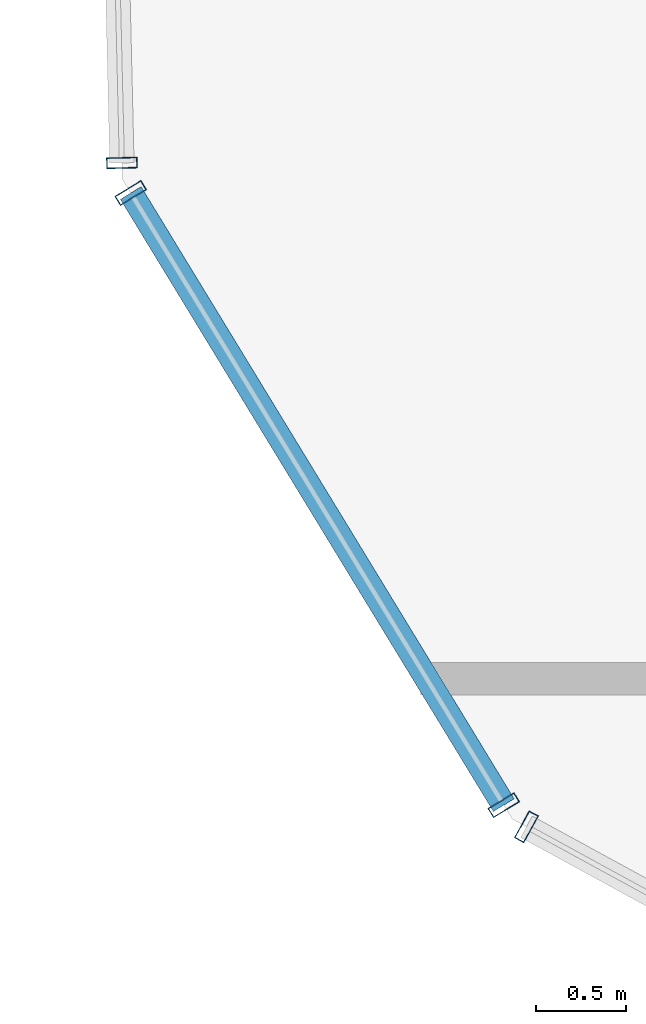
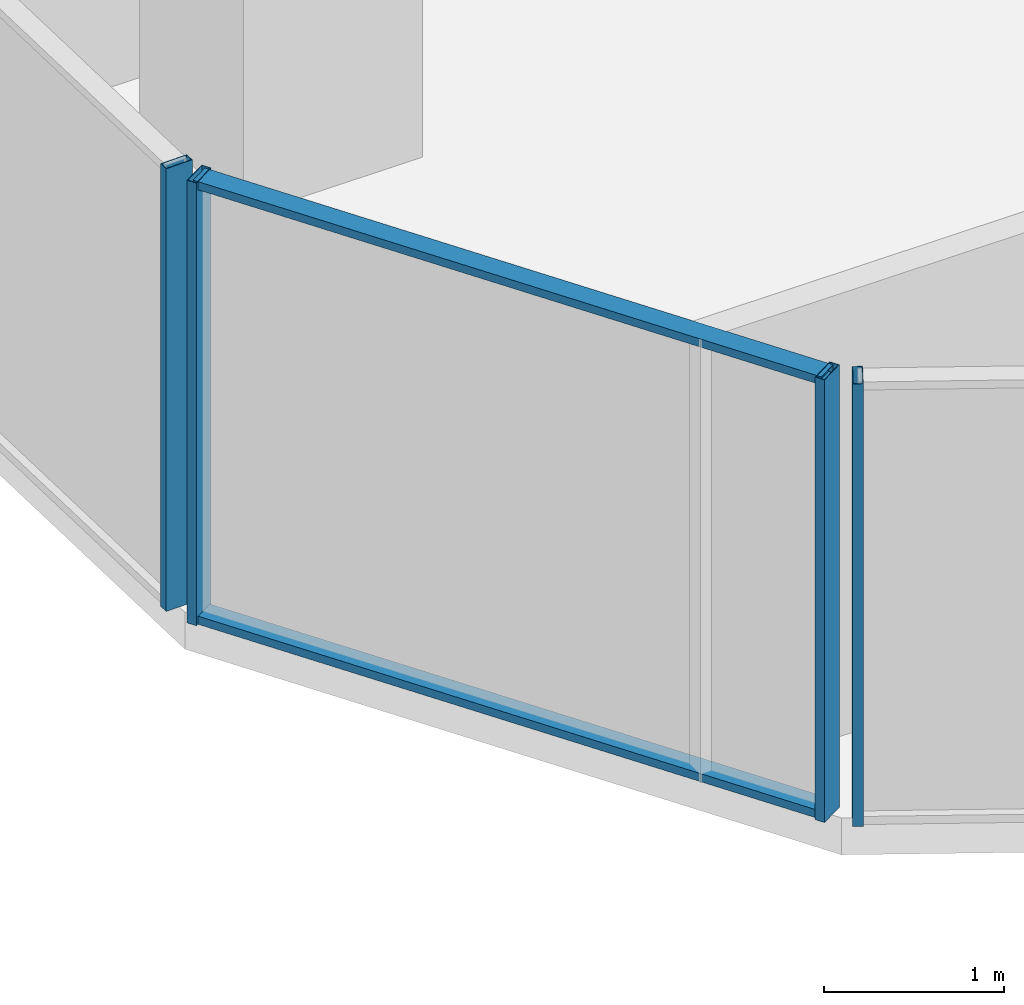
# One storey, part 4 of 31: 6 members, 3 elements without a shape of their own.
"""IFC4 building model written with IfcOpenShell, lengths in metres."""

from ifc_helpers import new_model, si_unit, direction, frame, origin, origin_2d, place, context, subcontext, project, spatial, hollow_rectangle, extrude, source, transform, mapped, material, layer, layer_set, material_profile, profile_set, type_object, element, aggregate, save


model = new_model("IFC4")

# Units and contexts
model_context = context("Model", 3, precision=1e-05, world=origin(), true_north=direction((0.0, 1.0)))
body_context = subcontext(model_context, "Body", "Model", "MODEL_VIEW")
ifc_project = project(units=[si_unit("LENGTHUNIT", "METRE"), si_unit("AREAUNIT", "SQUARE_METRE"), si_unit("VOLUMEUNIT", "CUBIC_METRE"), si_unit("PLANEANGLEUNIT", "RADIAN"), si_unit("MASSUNIT", "GRAM", prefix="KILO")], contexts=[model_context])

# Site, building, storey
site_placement = place(None, origin())
site = spatial("IfcSite", under=ifc_project, at=site_placement, CompositionType="ELEMENT")
building_placement = place(site_placement, origin())
building = spatial("IfcBuilding", under=site, at=building_placement, Name="Veraguas Prism Commons", CompositionType="ELEMENT")
storey_placement = place(building_placement, frame((0.0, 0.0, 132.75)))
storey = spatial("IfcBuildingStorey", under=building, at=storey_placement, Name="L37", CompositionType="ELEMENT", Elevation=132.75)

# Curtain wall, member
ifc_material = material(Name="Anodised aluminium EN AW-6063 T6", Category="aluminium")
ifc_layer = layer(ifc_material, 0.169921875, Name="Unitised Flush Curtain Wall Zone 2", Category="aluminium")
ifc_layer_set = layer_set([ifc_layer], Name="Anodised aluminium EN AW-6063 T6")
curtain_wall_type = type_object("IfcCurtainWallType", Name="Unitised Flush Curtain Wall Zone 2", PredefinedType="NOTDEFINED", material=ifc_layer_set)
curtain_wall_1_placement = place(storey_placement, origin())
curtain_wall_1 = element("IfcCurtainWall", 1, at=curtain_wall_1_placement, inside=storey, type_object=curtain_wall_type, Name="Tower Facade Curtain Wall L37-F3", PredefinedType="NOTDEFINED")
ifc_material_profile_1 = material_profile(ifc_material, hollow_rectangle(XDim=0.06005859375, YDim=0.169921875, WallThickness=0.00390625, at=origin_2d()), Name="AL60X170X4")
ifc_profile_set_1 = profile_set([ifc_material_profile_1], Name="Anodised aluminium EN AW-6063 T6")
member_type_1 = type_object("IfcMemberType", Name="Curtain Wall Mullion Lower AL 60x170x4", PredefinedType="MULLION", material=ifc_profile_set_1)
shared_shape_1 = source(origin(), body_context, "Body", "SweptSolid", [
    extrude(hollow_rectangle(XDim=0.06005859375, YDim=0.169921875, WallThickness=0.00390625, at=origin_2d()), origin(), (0.0, 0.0, 1.0), 3.0),
])
member_1_placement = place(storey_placement, frame((5.02685546875, 14.9599609375, 0.0), z_axis=(0.0, 0.0, 1.0), x_axis=(0.023737738629, -0.999718220182, 0.0)))
member_1 = element("IfcMember", 2, at=member_1_placement, type_object=member_type_1, Name="CW-Z2 Mullion 5", PredefinedType="MULLION", context=body_context, shape_type="MappedRepresentation", body=[
    mapped(shared_shape_1, transform((0.0, 0.0, 0.0), scale=1.0)),
])
aggregate(curtain_wall_1, [member_1])

curtain_wall_2_placement = place(storey_placement, origin())
curtain_wall_2 = element("IfcCurtainWall", 3, at=curtain_wall_2_placement, inside=storey, type_object=curtain_wall_type, Name="Tower Facade Curtain Wall L37-F4", PredefinedType="NOTDEFINED")
member_2_placement = place(storey_placement, frame((7.269287109375, 11.280517578125, 0.0), z_axis=(0.0, 0.0, 1.0), x_axis=(0.877648571535, -0.479304688984, 0.0)))
member_2 = element("IfcMember", 4, at=member_2_placement, type_object=member_type_1, Name="CW-Z2 Mullion 1", PredefinedType="MULLION", context=body_context, shape_type="MappedRepresentation", body=[
    mapped(shared_shape_1, transform((0.0, 0.0, 0.0), scale=1.0)),
])
aggregate(curtain_wall_2, [member_2])

# Curtain wall, members
curtain_wall_3_placement = place(storey_placement, origin())
curtain_wall_3 = element("IfcCurtainWall", 5, at=curtain_wall_3_placement, inside=storey, type_object=curtain_wall_type, Name="Chamfer Curtain Wall L37-C4", PredefinedType="NOTDEFINED")
member_3_placement = place(storey_placement, frame((5.07568359375, 14.793212890625, 0.0), z_axis=(0.0, 0.0, 1.0), x_axis=(0.52040914296, -0.853917047449, 0.0)))
member_3 = element("IfcMember", 6, at=member_3_placement, type_object=member_type_1, Name="CW-Z2 Mullion 1", PredefinedType="MULLION", context=body_context, shape_type="MappedRepresentation", body=[
    mapped(shared_shape_1, transform((0.0, 0.0, 0.0), scale=1.0)),
])
member_4_placement = place(storey_placement, frame((7.143310546875, 11.400390625, 0.0), z_axis=(0.0, 0.0, 1.0), x_axis=(0.52040914296, -0.853917047449, 0.0)))
member_4 = element("IfcMember", 7, at=member_4_placement, type_object=member_type_1, Name="CW-Z2 Mullion 2", PredefinedType="MULLION", context=body_context, shape_type="MappedRepresentation", body=[
    mapped(shared_shape_1, transform((0.0, 0.0, 0.0), scale=1.0)),
])
ifc_material_profile_2 = material_profile(ifc_material, hollow_rectangle(XDim=0.054931640625, YDim=0.135009765625, WallThickness=0.0029296875, at=origin_2d()), Name="AL55X135X3")
ifc_profile_set_2 = profile_set([ifc_material_profile_2], Name="Anodised aluminium EN AW-6063 T6")
member_type_2 = type_object("IfcMemberType", Name="Curtain Wall Transom Standard AL 55x135x3", PredefinedType="USERDEFINED", material=ifc_profile_set_2)
shared_shape_2 = source(origin(), body_context, "Body", "SweptSolid", [
    extrude(hollow_rectangle(XDim=0.054931640625, YDim=0.135009765625, WallThickness=0.0029296875, at=origin_2d()), origin(), (0.0, 0.0, 1.0), 3.97314453125),
])
member_5_placement = place(storey_placement, frame((5.07568359375, 14.793212890625, 0.027587890625), z_axis=(0.520393276584, -0.853926716813, 0.0), x_axis=(0.0, 0.0, 1.0)))
member_5 = element("IfcMember", 8, at=member_5_placement, type_object=member_type_2, Name="CW-Z2 Transom 1", ObjectType="TRANSOM", PredefinedType="USERDEFINED", context=body_context, shape_type="MappedRepresentation", body=[
    mapped(shared_shape_2, transform((0.0, 0.0, 0.0), scale=1.0)),
])
member_6_placement = place(storey_placement, frame((5.07568359375, 14.793212890625, 2.972412109375), z_axis=(0.520393276584, -0.853926716813, 0.0), x_axis=(0.0, 0.0, 1.0)))
member_6 = element("IfcMember", 9, at=member_6_placement, type_object=member_type_2, Name="CW-Z2 Transom 2", ObjectType="TRANSOM", PredefinedType="USERDEFINED", context=body_context, shape_type="MappedRepresentation", body=[
    mapped(shared_shape_2, transform((0.0, 0.0, 0.0), scale=1.0)),
])
aggregate(curtain_wall_3, [member_3, member_4, member_5, member_6])

save(model, "model.ifc")
